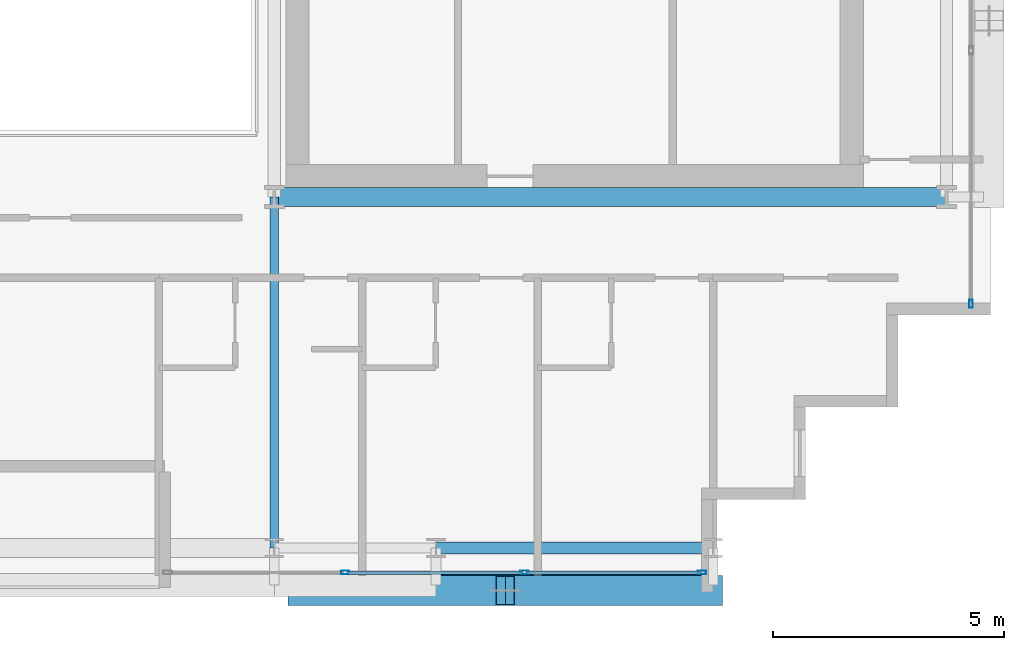
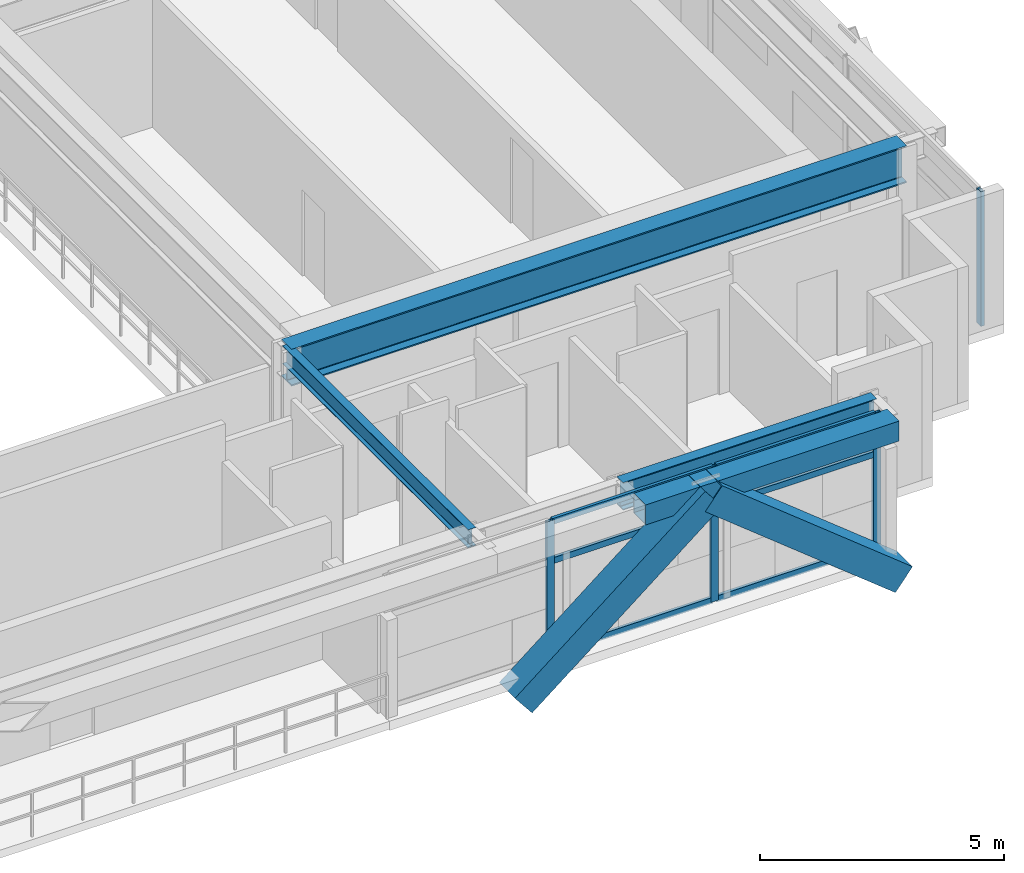
# One storey, part 10 of 31: 12 members, 4 beams, 2 elements without a shape of their own.
"""IFC4 building model written with IfcOpenShell, lengths in metres."""

from ifc_helpers import new_model, si_unit, direction, frame, origin, origin_2d, place, context, subcontext, project, spatial, hollow_rectangle, i_section, extrude, source, transform, mapped, material, layer, layer_set, material_profile, profile_set, type_object, element, aggregate, save


model = new_model("IFC4")

# Units and contexts
model_context = context("Model", 3, precision=1e-05, world=origin(), true_north=direction((0.0, 1.0)))
body_context = subcontext(model_context, "Body", "Model", "MODEL_VIEW")
ifc_project = project(units=[si_unit("LENGTHUNIT", "METRE"), si_unit("AREAUNIT", "SQUARE_METRE"), si_unit("VOLUMEUNIT", "CUBIC_METRE"), si_unit("PLANEANGLEUNIT", "RADIAN"), si_unit("MASSUNIT", "GRAM", prefix="KILO")], contexts=[model_context])

# Site, building, storey
site_placement = place(None, origin())
site = spatial("IfcSite", under=ifc_project, at=site_placement, CompositionType="ELEMENT")
building_placement = place(site_placement, origin())
building = spatial("IfcBuilding", under=site, at=building_placement, Name="Ocotamira Hotel", CompositionType="ELEMENT")
storey_placement = place(building_placement, frame((0.0, 0.0, 202.800048828125)))
storey = spatial("IfcBuildingStorey", under=building, at=storey_placement, Name="L51", CompositionType="ELEMENT", Elevation=202.800048828125)

# Beams
ifc_material_1 = material(Name="Steel ASTM A992 Grade 50", Category="steel")
ifc_material_profile_1 = material_profile(ifc_material_1, i_section(OverallWidth=0.41796875, OverallDepth=0.927001953125, WebThickness=0.019287109375, FlangeThickness=0.031982421875, FilletRadius=0.02392578125, at=origin_2d()), Name="W36X231")
ifc_profile_set_1 = profile_set([ifc_material_profile_1], Name="Steel ASTM A992 Grade 50")
beam_type_1 = type_object("IfcBeamType", Name="BM-GIRD-W36X231", PredefinedType="BEAM", material=ifc_profile_set_1)
shared_shape_1 = source(origin(), body_context, "Body", "SweptSolid", [
    extrude(i_section(OverallWidth=0.41796875, OverallDepth=0.927001953125, WebThickness=0.019287109375, FlangeThickness=0.031982421875, FilletRadius=0.02392578125, at=origin_2d()), origin(), (0.0, 0.0, 1.0), 14.550048828125),
])
beam_1_placement = place(storey_placement, frame((40.5, 14.550048828125, 2.906494140625), z_axis=(1.0, 0.0, 0.0), x_axis=(0.0, 1.0, 0.0)))
element("IfcBeam", 1, at=beam_1_placement, inside=storey, type_object=beam_type_1, Name="L51 Girder Y14.55 X40.5-55.05", PredefinedType="BEAM", context=body_context, shape_type="MappedRepresentation", body=[
    mapped(shared_shape_1, transform((0.0, 0.0, 0.0), scale=1.0)),
])
ifc_material_profile_2 = material_profile(ifc_material_1, i_section(OverallWidth=0.256103515625, OverallDepth=0.693115234375, WebThickness=0.014404296875, FlangeThickness=0.023681640625, FilletRadius=0.01611328125, at=origin_2d()), Name="W27X114")
ifc_profile_set_2 = profile_set([ifc_material_profile_2], Name="Steel ASTM A992 Grade 50")
beam_type_2 = type_object("IfcBeamType", Name="BM-PRIM-W27X114", PredefinedType="BEAM", material=ifc_profile_set_2)
shared_shape_2 = source(origin(), body_context, "Body", "SweptSolid", [
    extrude(i_section(OverallWidth=0.256103515625, OverallDepth=0.693115234375, WebThickness=0.014404296875, FlangeThickness=0.023681640625, FilletRadius=0.01611328125, at=origin_2d()), origin(), (0.0, 0.0, 1.0), 6.0),
])
beam_2_placement = place(storey_placement, frame((44.0, 6.949951171875, 3.0234375), z_axis=(1.0, 0.0, 0.0), x_axis=(0.0, 1.0, 0.0)))
element("IfcBeam", 2, at=beam_2_placement, inside=storey, type_object=beam_type_2, Name="L51 Girder Y6.95 X44-50", PredefinedType="BEAM", context=body_context, shape_type="MappedRepresentation", body=[
    mapped(shared_shape_2, transform((0.0, 0.0, 0.0), scale=1.0)),
])
ifc_material_2 = material(Name="Steel ASTM A500 Grade C", Category="steel")
ifc_material_profile_3 = material_profile(ifc_material_2, hollow_rectangle(XDim=0.5, YDim=0.5, WallThickness=0.02001953125, at=origin_2d()), Name="HSS500X500X20")
ifc_profile_set_3 = profile_set([ifc_material_profile_3], Name="Steel ASTM A500 Grade C")
beam_type_3 = type_object("IfcBeamType", Name="BM-SPAN-HSS500", PredefinedType="USERDEFINED", material=ifc_profile_set_3)
shared_shape_3 = source(origin(), body_context, "Body", "SweptSolid", [
    extrude(hollow_rectangle(XDim=0.5, YDim=0.5, WallThickness=0.02001953125, at=origin_2d()), origin(), (0.0, 0.0, 1.0), 6.0),
])
beam_3_placement = place(storey_placement, frame((44.0, 6.14990234375, 3.119873046875), z_axis=(1.0, 0.0, 0.0), x_axis=(0.0, 1.0, 0.0)))
element("IfcBeam", 3, at=beam_3_placement, inside=storey, type_object=beam_type_3, Name="L51 Edge Spandrel S X44-50", ObjectType="SPANDREL", PredefinedType="USERDEFINED", context=body_context, shape_type="MappedRepresentation", body=[
    mapped(shared_shape_3, transform((0.0, 0.0, 0.0), scale=1.0)),
])
ifc_material_profile_4 = material_profile(ifc_material_1, i_section(OverallWidth=0.18994140625, OverallDepth=0.45703125, WebThickness=0.009033203125, FlangeThickness=0.014404296875, FilletRadius=0.010009765625, at=origin_2d()), Name="W18X50")
ifc_profile_set_4 = profile_set([ifc_material_profile_4], Name="Steel ASTM A992 Grade 50")
beam_type_4 = type_object("IfcBeamType", Name="BM-SEC-W18X50", PredefinedType="JOIST", material=ifc_profile_set_4)
shared_shape_4 = source(origin(), body_context, "Body", "SweptSolid", [
    extrude(i_section(OverallWidth=0.18994140625, OverallDepth=0.45703125, WebThickness=0.009033203125, FlangeThickness=0.014404296875, FilletRadius=0.010009765625, at=origin_2d()), origin(), (0.0, 0.0, 1.0), 7.60009765625),
])
beam_4_placement = place(storey_placement, frame((40.5, 6.949951171875, 3.141357421875), z_axis=(0.0, 1.0, 0.0), x_axis=(-1.0, 0.0, 0.0)))
element("IfcBeam", 4, at=beam_4_placement, inside=storey, type_object=beam_type_4, Name="L51 Beam X40.5 Y6.95-14.55", PredefinedType="JOIST", context=body_context, shape_type="MappedRepresentation", body=[
    mapped(shared_shape_4, transform((0.0, 0.0, 0.0), scale=1.0)),
])

# Members
ifc_material_3 = material(Name="Pale-metal coated steel ASTM A913 Grade 65", Category="steel")
ifc_material_profile_5 = material_profile(ifc_material_3, hollow_rectangle(XDim=0.64990234375, YDim=0.64990234375, WallThickness=0.02197265625, at=origin_2d()), Name="BOX650X650X22")
ifc_profile_set_5 = profile_set([ifc_material_profile_5], Name="Pale-metal coated steel ASTM A913 Grade 65")
member_type_1 = type_object("IfcMemberType", Name="MEM-EXO-BOX650", PredefinedType="BRACE", material=ifc_profile_set_5)
shared_shape_5 = source(origin(), body_context, "Body", "SweptSolid", [
    extrude(hollow_rectangle(XDim=0.64990234375, YDim=0.64990234375, WallThickness=0.02197265625, at=origin_2d()), origin(), (0.0, 0.0, 1.0), 5.7626953125),
])
for number, where, z_axis, x_axis, name in (
    (5, (41.0, 6.030029296875, -0.47998046875), (0.780881208953, 0.0, 0.624679547852), (0.0, 1.0, 0.0), "L51 Exoskeleton Diagrid S3.1"),
    (6, (50.0, 6.030029296875, -0.47998046875), (-0.780881208953, 0.0, 0.624679547852), (0.0, -1.0, 0.0), "L51 Exoskeleton Diagrid S3.2"),
):
    element("IfcMember", number, at=place(storey_placement, frame(where, z_axis=z_axis, x_axis=x_axis)), inside=storey, type_object=member_type_1, Name=name, PredefinedType="BRACE", context=body_context, shape_type="MappedRepresentation", body=[
        mapped(shared_shape_5, transform((0.0, 0.0, 0.0), scale=1.0)),
    ])

# Curtain wall, members
ifc_material_4 = material(Name="Anodised pale-metal aluminium and solar glass", Category="aluminium")
ifc_layer = layer(ifc_material_4, 0.199951171875)
ifc_layer_set = layer_set([ifc_layer], Name="Anodised pale-metal aluminium and solar glass")
curtain_wall_type = type_object("IfcCurtainWallType", Name="CW-SYS4-Z3", PredefinedType="NOTDEFINED", material=ifc_layer_set)
curtain_wall_1_placement = place(storey_placement, origin())
curtain_wall_1 = element("IfcCurtainWall", 7, at=curtain_wall_1_placement, inside=storey, type_object=curtain_wall_type, Name="L51 Curtain Wall CW-4 CW-L51-S2", PredefinedType="NOTDEFINED")
ifc_material_5 = material(Name="Anodised pale-metal aluminium 6063-T6", Category="aluminium")
ifc_material_profile_6 = material_profile(ifc_material_5, hollow_rectangle(XDim=0.080078125, YDim=0.179931640625, WallThickness=0.006103515625, at=origin_2d()), Name="HSS180X80X6")
ifc_profile_set_6 = profile_set([ifc_material_profile_6], Name="Anodised pale-metal aluminium 6063-T6")
member_type_2 = type_object("IfcMemberType", Name="CWM-180X75", PredefinedType="MULLION", material=ifc_profile_set_6)
shared_shape_6 = source(origin(), body_context, "Body", "SweptSolid", [
    extrude(hollow_rectangle(XDim=0.080078125, YDim=0.179931640625, WallThickness=0.006103515625, at=origin_2d()), origin(), (0.0, 0.0, 1.0), 3.369873046875),
])
member_1_placement = place(storey_placement, frame((42.033447265625, 6.419921875, 0.0), z_axis=(0.0, 0.0, 1.0), x_axis=(0.0, 1.0, 0.0)))
member_1 = element("IfcMember", 8, at=member_1_placement, type_object=member_type_2, Name="CW-4 mullion 2", PredefinedType="MULLION", context=body_context, shape_type="MappedRepresentation", body=[
    mapped(shared_shape_6, transform((0.0, 0.0, 0.0), scale=1.0)),
])
member_2_placement = place(storey_placement, frame((45.916748046875, 6.419921875, 0.0), z_axis=(0.0, 0.0, 1.0), x_axis=(0.0, 1.0, 0.0)))
member_2 = element("IfcMember", 9, at=member_2_placement, type_object=member_type_2, Name="CW-4 mullion 3", PredefinedType="MULLION", context=body_context, shape_type="MappedRepresentation", body=[
    mapped(shared_shape_6, transform((0.0, 0.0, 0.0), scale=1.0)),
])
member_3_placement = place(storey_placement, frame((49.760009765625, 6.419921875, 0.0), z_axis=(0.0, 0.0, 1.0), x_axis=(0.0, 1.0, 0.0)))
member_3 = element("IfcMember", 10, at=member_3_placement, type_object=member_type_2, Name="CW-4 mullion 4", PredefinedType="MULLION", context=body_context, shape_type="MappedRepresentation", body=[
    mapped(shared_shape_6, transform((0.0, 0.0, 0.0), scale=1.0)),
])

# Curtain wall, member
curtain_wall_2_placement = place(storey_placement, origin())
curtain_wall_2 = element("IfcCurtainWall", 11, at=curtain_wall_2_placement, inside=storey, type_object=curtain_wall_type, Name="L51 Curtain Wall CW-4 CW-L51-E", PredefinedType="NOTDEFINED")
member_4_placement = place(storey_placement, frame((55.580078125, 12.239990234375, 0.0), z_axis=(0.0, 0.0, 1.0), x_axis=(-1.0, 0.0, 0.0)))
member_4 = element("IfcMember", 12, at=member_4_placement, type_object=member_type_2, Name="CW-4 mullion 1", PredefinedType="MULLION", context=body_context, shape_type="MappedRepresentation", body=[
    mapped(shared_shape_6, transform((0.0, 0.0, 0.0), scale=1.0)),
])
aggregate(curtain_wall_2, [member_4])

# Member
ifc_material_profile_7 = material_profile(ifc_material_5, hollow_rectangle(XDim=0.074951171875, YDim=0.14990234375, WallThickness=0.006103515625, at=origin_2d()), Name="HSS150X75X6")
ifc_profile_set_7 = profile_set([ifc_material_profile_7], Name="Anodised pale-metal aluminium 6063-T6")
member_type_3 = type_object("IfcMemberType", Name="CWT-150X75", PredefinedType="USERDEFINED", material=ifc_profile_set_7)
shared_shape_7 = source(origin(), body_context, "Body", "SweptSolid", [
    extrude(hollow_rectangle(XDim=0.074951171875, YDim=0.14990234375, WallThickness=0.006103515625, at=origin_2d()), origin(), (0.0, 0.0, 1.0), 3.76318359375),
])
member_5_placement = place(storey_placement, frame((45.956787109375, 6.419921875, 0.037353515625), z_axis=(1.0, 0.0, 0.0), x_axis=(0.0, 1.0, 0.0)))
member_5 = element("IfcMember", 13, at=member_5_placement, type_object=member_type_3, Name="CW-4 transom 3.1", ObjectType="TRANSOM", PredefinedType="USERDEFINED", context=body_context, shape_type="MappedRepresentation", body=[
    mapped(shared_shape_7, transform((0.0, 0.0, 0.0), scale=1.0)),
])

member_6_placement = place(storey_placement, frame((45.956787109375, 6.419921875, 2.349853515625), z_axis=(1.0, 0.0, 0.0), x_axis=(0.0, 1.0, 0.0)))
member_6 = element("IfcMember", 14, at=member_6_placement, type_object=member_type_3, Name="CW-4 transom 3.2", ObjectType="TRANSOM", PredefinedType="USERDEFINED", context=body_context, shape_type="MappedRepresentation", body=[
    mapped(shared_shape_7, transform((0.0, 0.0, 0.0), scale=1.0)),
])

member_7_placement = place(storey_placement, frame((45.956787109375, 6.419921875, 3.33251953125), z_axis=(1.0, 0.0, 0.0), x_axis=(0.0, 1.0, 0.0)))
member_7 = element("IfcMember", 15, at=member_7_placement, type_object=member_type_3, Name="CW-4 transom 3.3", ObjectType="TRANSOM", PredefinedType="USERDEFINED", context=body_context, shape_type="MappedRepresentation", body=[
    mapped(shared_shape_7, transform((0.0, 0.0, 0.0), scale=1.0)),
])

shared_shape_8 = source(origin(), body_context, "Body", "SweptSolid", [
    extrude(hollow_rectangle(XDim=0.074951171875, YDim=0.14990234375, WallThickness=0.006103515625, at=origin_2d()), origin(), (0.0, 0.0, 1.0), 3.803466796875),
])
member_8_placement = place(storey_placement, frame((42.0732421875, 6.419921875, 0.037353515625), z_axis=(1.0, 0.0, 0.0), x_axis=(0.0, 1.0, 0.0)))
member_8 = element("IfcMember", 16, at=member_8_placement, type_object=member_type_3, Name="CW-4 transom 2.1", ObjectType="TRANSOM", PredefinedType="USERDEFINED", context=body_context, shape_type="MappedRepresentation", body=[
    mapped(shared_shape_8, transform((0.0, 0.0, 0.0), scale=1.0)),
])

member_9_placement = place(storey_placement, frame((42.0732421875, 6.419921875, 2.349853515625), z_axis=(1.0, 0.0, 0.0), x_axis=(0.0, 1.0, 0.0)))
member_9 = element("IfcMember", 17, at=member_9_placement, type_object=member_type_3, Name="CW-4 transom 2.2", ObjectType="TRANSOM", PredefinedType="USERDEFINED", context=body_context, shape_type="MappedRepresentation", body=[
    mapped(shared_shape_8, transform((0.0, 0.0, 0.0), scale=1.0)),
])

member_10_placement = place(storey_placement, frame((42.0732421875, 6.419921875, 3.33251953125), z_axis=(1.0, 0.0, 0.0), x_axis=(0.0, 1.0, 0.0)))
member_10 = element("IfcMember", 18, at=member_10_placement, type_object=member_type_3, Name="CW-4 transom 2.3", ObjectType="TRANSOM", PredefinedType="USERDEFINED", context=body_context, shape_type="MappedRepresentation", body=[
    mapped(shared_shape_8, transform((0.0, 0.0, 0.0), scale=1.0)),
])

aggregate(curtain_wall_1, [member_1, member_2, member_3, member_8, member_9, member_10, member_5, member_6, member_7])

save(model, "model.ifc")
